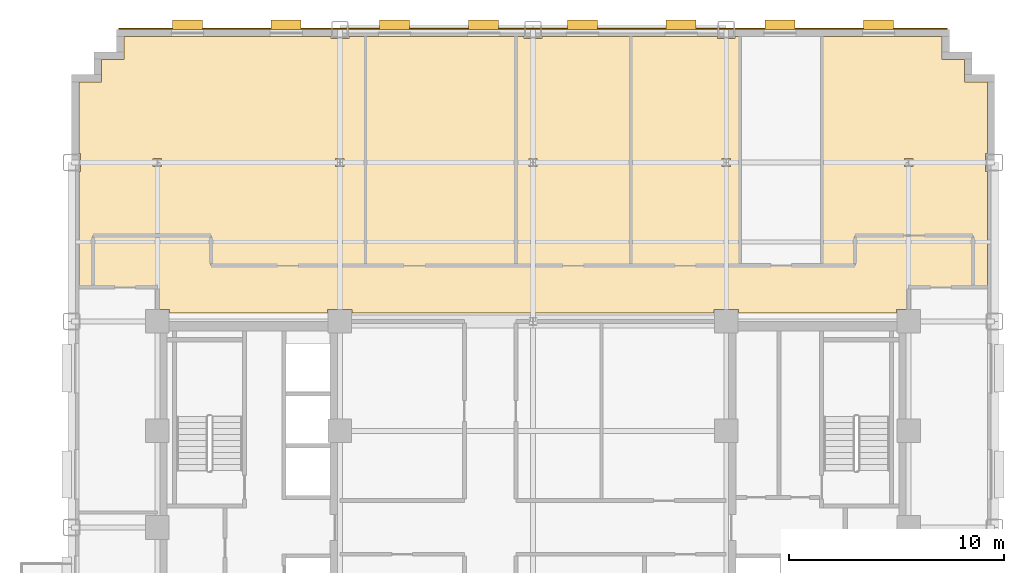
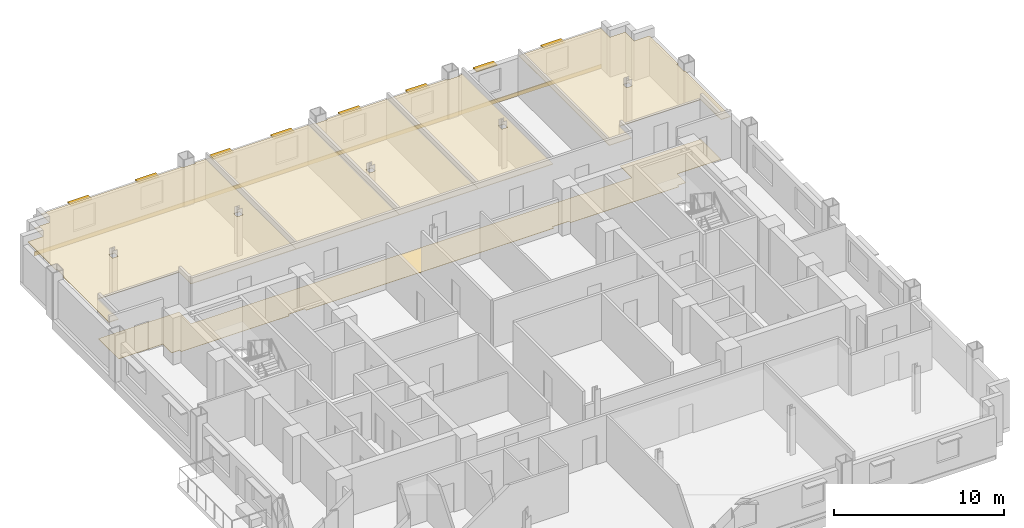
# One storey, part 13 of 13: 8 shading devices, 7 coverings.
"""IFC4 building model written with IfcOpenShell, lengths in metres."""

from ifc_helpers import new_model, si_unit, direction, frame, origin, origin_2d, place, context, subcontext, project, spatial, polyline, rectangle, outline, extrude, source, transform, mapped, material, layer, layer_set, type_object, type_shapes, element, save


model = new_model("IFC4")

# Units and contexts
model_context = context("Model", 3, precision=1e-05, world=origin(), true_north=direction((0.0, 1.0)))
body_context = subcontext(model_context, "Body", "Model", "MODEL_VIEW")
ifc_project = project(units=[si_unit("LENGTHUNIT", "METRE"), si_unit("AREAUNIT", "SQUARE_METRE"), si_unit("VOLUMEUNIT", "CUBIC_METRE"), si_unit("PLANEANGLEUNIT", "RADIAN"), si_unit("MASSUNIT", "GRAM", prefix="KILO")], contexts=[model_context])

# Site, building, storey
site_placement = place(None, origin())
site = spatial("IfcSite", under=ifc_project, at=site_placement, CompositionType="ELEMENT")
building_placement = place(site_placement, origin())
building = spatial("IfcBuilding", under=site, at=building_placement, Name="Nuvemarco Arch Tower", CompositionType="ELEMENT")
storey_placement = place(building_placement, frame((0.0, 0.0, 78.699951171875)))
storey = spatial("IfcBuildingStorey", under=building, at=storey_placement, Name="L20", CompositionType="ELEMENT", Elevation=78.699951171875)

# Coverings
ifc_material_1 = material(Name="Mineral acoustic ceiling tile")
ifc_layer_1 = layer(ifc_material_1, 0.0400390625, Name="COV-ACOUSTIC-CLG")
ifc_layer_set_1 = layer_set([ifc_layer_1], Name="Mineral acoustic ceiling tile")
covering_type_1 = type_object("IfcCoveringType", Name="COV-ACOUSTIC-CLG", PredefinedType="CEILING", material=ifc_layer_set_1)
covering_1_placement = place(storey_placement, frame((0.0, 0.0, 2.85009765625)))
element("IfcCovering", 1, at=covering_1_placement, inside=storey, type_object=covering_type_1, Name="L20 suspended acoustic ceiling 1", PredefinedType="CEILING", context=body_context, shape_type="SweptSolid", body=[
    extrude(outline(polyline([(-21.159912109375, 11.199951171875), (-21.159912109375, 16.5849609375), (-21.0849609375, 16.5849609375), (-21.0849609375, 17.4150390625), (-21.159912109375, 17.4150390625), (-21.159912109375, 20.760009765625), (-20.110107421875, 20.760009765625), (-20.110107421875, 21.81005859375), (-19.06005859375, 21.81005859375), (-19.06005859375, 22.860107421875), (-9.4150390625, 22.860107421875), (-9.4150390625, 22.784912109375), (-8.5849609375, 22.784912109375), (-8.5849609375, 22.860107421875), (-7.840087890625, 22.860107421875), (-7.840087890625, 12.199951171875), (-15.0, 12.199951171875), (-15.0, 13.60009765625), (-20.5, 13.60009765625), (-20.5, 11.199951171875), (-21.159912109375, 11.199951171875)]), holes=[polyline([(-17.304931640625, 16.804931640625), (-17.304931640625, 17.195068359375), (-17.695068359375, 17.195068359375), (-17.695068359375, 16.804931640625), (-17.304931640625, 16.804931640625)]), polyline([(-8.804931640625, 16.804931640625), (-8.804931640625, 17.195068359375), (-9.195068359375, 17.195068359375), (-9.195068359375, 16.804931640625), (-8.804931640625, 16.804931640625)])]), origin(), (0.0, 0.0, 1.0), 0.0400390625),
])
covering_2_placement = place(storey_placement, frame((0.0, 0.0, 2.85009765625)))
element("IfcCovering", 2, at=covering_2_placement, inside=storey, type_object=covering_type_1, Name="L20 suspended acoustic ceiling 5", PredefinedType="CEILING", context=body_context, shape_type="SweptSolid", body=[
    extrude(outline(polyline([(-0.800048828125, 12.199951171875), (-3.199951171875, 12.199951171875), (-7.840087890625, 12.199951171875), (-7.840087890625, 22.860107421875), (-0.800048828125, 22.860107421875), (-0.800048828125, 12.199951171875)])), origin(), (0.0, 0.0, 1.0), 0.0400390625),
])
covering_3_placement = place(storey_placement, frame((0.0, 0.0, 2.85009765625)))
element("IfcCovering", 3, at=covering_3_placement, inside=storey, type_object=covering_type_1, Name="L20 suspended acoustic ceiling 6", PredefinedType="CEILING", context=body_context, shape_type="SweptSolid", body=[
    extrude(outline(polyline([(21.159912109375, 20.760009765625), (21.159912109375, 17.4150390625), (21.0849609375, 17.4150390625), (21.0849609375, 16.5849609375), (21.159912109375, 16.5849609375), (21.159912109375, 11.199951171875), (20.5, 11.199951171875), (20.5, 13.60009765625), (15.0, 13.60009765625), (15.0, 12.199951171875), (13.469970703125, 12.199951171875), (13.469970703125, 22.860107421875), (19.06005859375, 22.860107421875), (19.06005859375, 21.81005859375), (20.110107421875, 21.81005859375), (20.110107421875, 20.760009765625), (21.159912109375, 20.760009765625)]), holes=[polyline([(17.695068359375, 16.804931640625), (17.695068359375, 17.195068359375), (17.304931640625, 17.195068359375), (17.304931640625, 16.804931640625), (17.695068359375, 16.804931640625)])]), origin(), (0.0, 0.0, 1.0), 0.0400390625),
])
covering_4_placement = place(storey_placement, frame((0.0, 0.0, 2.85009765625)))
element("IfcCovering", 4, at=covering_4_placement, inside=storey, type_object=covering_type_1, Name="L20 suspended acoustic ceiling 7", PredefinedType="CEILING", context=body_context, shape_type="SweptSolid", body=[
    extrude(outline(polyline([(4.550048828125, 12.199951171875), (-0.800048828125, 12.199951171875), (-0.800048828125, 22.860107421875), (-0.4150390625, 22.860107421875), (-0.4150390625, 22.784912109375), (0.4150390625, 22.784912109375), (0.4150390625, 22.860107421875), (4.550048828125, 22.860107421875), (4.550048828125, 12.199951171875)]), holes=[polyline([(0.195068359375, 16.804931640625), (0.195068359375, 17.195068359375), (-0.195068359375, 17.195068359375), (-0.195068359375, 16.804931640625), (0.195068359375, 16.804931640625)])]), origin(), (0.0, 0.0, 1.0), 0.0400390625),
])
covering_5_placement = place(storey_placement, frame((0.0, 0.0, 2.85009765625)))
element("IfcCovering", 5, at=covering_5_placement, inside=storey, type_object=covering_type_1, Name="L20 suspended acoustic ceiling 8", PredefinedType="CEILING", context=body_context, shape_type="SweptSolid", body=[
    extrude(outline(polyline([(9.64990234375, 12.199951171875), (4.550048828125, 12.199951171875), (4.550048828125, 22.860107421875), (8.5849609375, 22.860107421875), (8.5849609375, 22.784912109375), (9.4150390625, 22.784912109375), (9.4150390625, 22.860107421875), (9.64990234375, 22.860107421875), (9.64990234375, 12.199951171875)]), holes=[polyline([(9.195068359375, 17.195068359375), (8.804931640625, 17.195068359375), (8.804931640625, 16.804931640625), (9.195068359375, 16.804931640625), (9.195068359375, 17.195068359375)])]), origin(), (0.0, 0.0, 1.0), 0.0400390625),
])
ifc_material_2 = material(Name="Polished granite terrazzostone flooring", Category="masonry")
ifc_layer_2 = layer(ifc_material_2, 0.02001953125, Name="COV-LOBBY-FLR")
ifc_layer_set_2 = layer_set([ifc_layer_2], Name="Polished granite terrazzostone flooring")
covering_type_2 = type_object("IfcCoveringType", Name="COV-LOBBY-FLR", PredefinedType="FLOORING", material=ifc_layer_set_2)
covering_6_placement = place(storey_placement, origin())
element("IfcCovering", 6, at=covering_6_placement, inside=storey, type_object=covering_type_2, Name="L20 polished terrazzo lobby flooring", PredefinedType="FLOORING", context=body_context, shape_type="SweptSolid", body=[
    extrude(outline(polyline([(-8.43505859375, 10.1650390625), (-9.56494140625, 10.1650390625), (-9.56494140625, 10.0), (-16.93505859375, 10.0), (-16.93505859375, 10.1650390625), (-17.5, 10.1650390625), (-17.5, 11.199951171875), (-20.5, 11.199951171875), (-20.5, 13.60009765625), (-15.0, 13.60009765625), (-15.0, 12.199951171875), (-3.199951171875, 12.199951171875), (-0.800048828125, 12.199951171875), (15.0, 12.199951171875), (15.0, 13.60009765625), (20.5, 13.60009765625), (20.5, 11.199951171875), (17.5, 11.199951171875), (17.5, 10.1650390625), (16.93505859375, 10.1650390625), (16.93505859375, 10.0), (9.56494140625, 10.0), (9.56494140625, 10.1650390625), (8.43505859375, 10.1650390625), (8.43505859375, 10.0), (-8.43505859375, 10.0), (-8.43505859375, 10.1650390625)])), origin(), (0.0, 0.0, 1.0), 0.02001953125),
])

# Shading devices
ifc_material_3 = material(Name="Anodised aluminium 6063-T6", Category="aluminium")
shading_device_type = type_object("IfcShadingDeviceType", Name="SHD-BRISE-NARROW", PredefinedType="USERDEFINED", material=ifc_material_3)
shared_shape_1 = source(origin(), body_context, "Body", "SweptSolid", [
    extrude(rectangle(XDim=1.39990234375, YDim=0.449951171875, at=origin_2d()), origin(), (0.0, 0.0, 1.0), 0.080078125),
])
type_shapes(shading_device_type, [shared_shape_1])
for number, where, z_axis, x_axis, name in (
    (7, (-16.10009765625, 23.4150390625, 2.405029296875), (0.0, 0.0, 1.0), (1.0, 0.0, 0.0), "L20 horizontal brise-soleil sunshade"),
    (8, (-11.5, 23.4150390625, 2.405029296875), (0.0, 0.0, 1.0), (1.0, 0.0, 0.0), "L20 horizontal brise-soleil sunshade"),
    (9, (-6.449951171875, 23.4150390625, 2.405029296875), (0.0, 0.0, 1.0), (1.0, 0.0, 0.0), "L20 horizontal brise-soleil sunshade"),
    (10, (-2.300048828125, 23.4150390625, 2.405029296875), (0.0, 0.0, 1.0), (1.0, 0.0, 0.0), "L20 horizontal brise-soleil sunshade"),
    (11, (2.300048828125, 23.4150390625, 2.405029296875), (0.0, 0.0, 1.0), (1.0, 0.0, 0.0), "L20 horizontal brise-soleil sunshade"),
    (12, (6.89990234375, 23.4150390625, 2.405029296875), (0.0, 0.0, 1.0), (1.0, 0.0, 0.0), "L20 horizontal brise-soleil sunshade"),
    (13, (11.5, 23.4150390625, 2.405029296875), (0.0, 0.0, 1.0), (1.0, 0.0, 0.0), "L20 horizontal brise-soleil sunshade"),
    (14, (16.10009765625, 23.4150390625, 2.405029296875), (0.0, 0.0, 1.0), (1.0, 0.0, 0.0), "L20 horizontal brise-soleil sunshade"),
):
    element("IfcShadingDevice", number, at=place(storey_placement, frame(where, z_axis=z_axis, x_axis=x_axis)), inside=storey, type_object=shading_device_type, Name=name, ObjectType="SUNSHADE", PredefinedType="USERDEFINED", context=body_context, shape_type="MappedRepresentation", body=[
        mapped(shared_shape_1, transform((0.0, 0.0, 0.0), scale=1.0)),
    ])

# Covering
ifc_material_4 = material(Name="Precast concrete C45/55", Category="concrete")
ifc_layer_3 = layer(ifc_material_4, 0.06005859375, Name="COV-SPANDREL-CLAD")
ifc_layer_set_3 = layer_set([ifc_layer_3], Name="Precast concrete C45/55")
covering_type_3 = type_object("IfcCoveringType", Name="COV-SPANDREL-CLAD", PredefinedType="CLADDING", material=ifc_layer_set_3)
shared_shape_2 = source(origin(), body_context, "Body", "SweptSolid", [
    extrude(rectangle(XDim=38.60009765625, YDim=0.06005859375, at=origin_2d()), origin(), (0.0, 0.0, 1.0), 0.280029296875),
])
type_shapes(covering_type_3, [shared_shape_2])
covering_7_placement = place(storey_placement, frame((0.0, 23.22900390625, -0.27978515625), z_axis=(0.0, 0.0, 1.0), x_axis=(1.0, 0.0, 0.0)))
element("IfcCovering", 15, at=covering_7_placement, inside=storey, type_object=covering_type_3, Name="L20 precast spandrel edge cladding north", PredefinedType="CLADDING", context=body_context, shape_type="MappedRepresentation", body=[
    mapped(shared_shape_2, transform((0.0, 0.0, 0.0), scale=1.0)),
])

save(model, "model.ifc")
